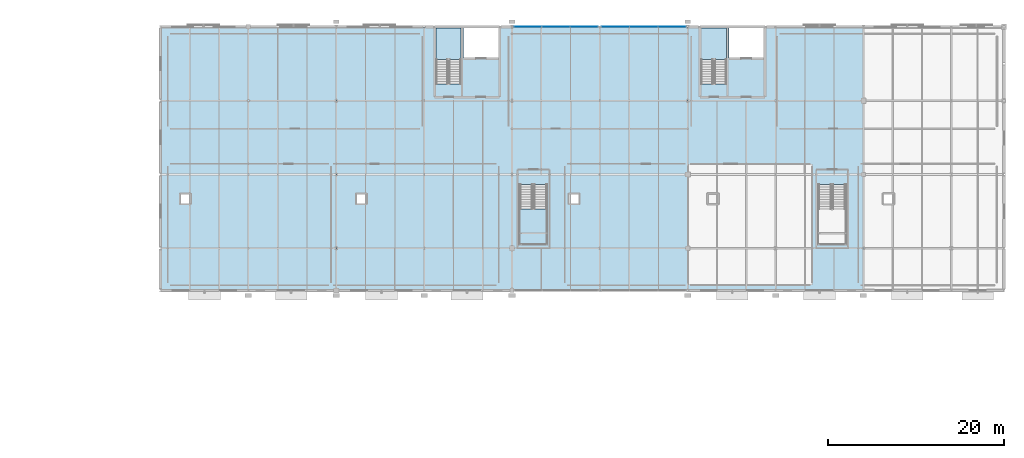
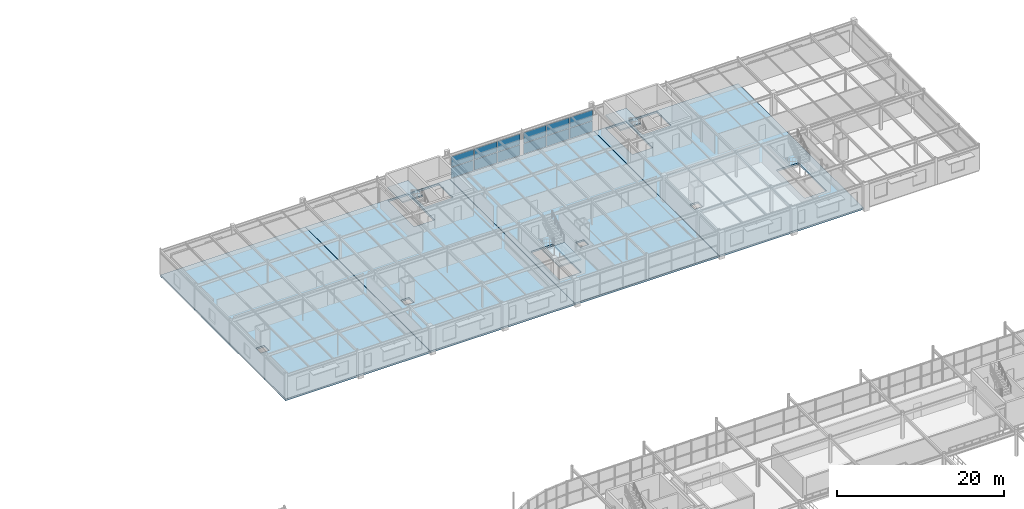
# One storey, part 70 of 98: 12 plates, 7 slabs, 5 elements without a shape of their own.
"""IFC4 building model written with IfcOpenShell, lengths in metres."""

from ifc_helpers import new_model, si_unit, derived_unit, direction, frame, origin, origin_2d_with_axis, place, context, subcontext, project, spatial, polyline, rectangle, outline, extrude, material, layer, layer_set, type_object, element, aggregate, save


model = new_model("IFC4")

# Units and contexts
model_context = context("Model", 3, precision=1e-05, world=origin(), true_north=direction((0.0, 1.0)))
body_context = subcontext(model_context, "Body", "Model", "MODEL_VIEW")
ifc_project = project(units=[si_unit("LENGTHUNIT", "METRE"), si_unit("AREAUNIT", "SQUARE_METRE"), si_unit("VOLUMEUNIT", "CUBIC_METRE"), si_unit("PLANEANGLEUNIT", "RADIAN"), si_unit("MASSUNIT", "GRAM", prefix="KILO"), derived_unit("THERMALTRANSMITTANCEUNIT", [(si_unit("POWERUNIT", "WATT"), 1), (si_unit("LENGTHUNIT", "METRE"), -2), (si_unit("THERMODYNAMICTEMPERATUREUNIT", "KELVIN"), -1)])], contexts=[model_context])

# Site, building, storey
site_placement = place(None, origin())
site = spatial("IfcSite", under=ifc_project, at=site_placement, CompositionType="ELEMENT")
building_placement = place(site_placement, origin())
building = spatial("IfcBuilding", under=site, at=building_placement, Name="Cinnabar Yard Market Hall", CompositionType="ELEMENT")
storey_placement = place(building_placement, frame((0.0, 0.0, 4.5)))
storey = spatial("IfcBuildingStorey", under=building, at=storey_placement, Name="L01", CompositionType="ELEMENT", Elevation=4.5)

# Curtain wall, plates
ifc_material_1 = material(Name="Anodised bronze aluminium courtyard facade", Category="aluminium")
curtain_wall_type = type_object("IfcCurtainWallType", Name="CW-CWF097x33", PredefinedType="NOTDEFINED", material=ifc_material_1)
curtain_wall_1_placement = place(storey_placement, origin())
curtain_wall_1 = element("IfcCurtainWall", 1, at=curtain_wall_1_placement, inside=storey, type_object=curtain_wall_type, Name="Wing North Pishtaq Glazing L01 Bay 5", PredefinedType="NOTDEFINED")
ifc_material_2 = material(Name="Low-E laminated glass", Category="glass")
ifc_layer_1 = layer(ifc_material_2, 0.031982421875)
ifc_layer_set_1 = layer_set([ifc_layer_1], Name="Low-E laminated glass")
plate_type_1 = type_object("IfcPlateType", Name="CWP-GP311x153", PredefinedType="CURTAIN_PANEL", material=ifc_layer_set_1)
plate_1_placement = place(storey_placement, frame((114.2080078125, 138.0, 0.0751953125), z_axis=(0.0, 0.0, 1.0), x_axis=(-1.0, 0.0, 0.0)))
plate_1 = element("IfcPlate", 2, at=plate_1_placement, type_object=plate_type_1, Name="CWF097x33 panel 1.1", PredefinedType="CURTAIN_PANEL", context=body_context, shape_type="SweptSolid", body=[
    extrude(rectangle(XDim=3.1142578125, YDim=0.031982421875, at=origin_2d_with_axis()), origin(), (0.0, 0.0, 1.0), 1.532470703125),
])
plate_2_placement = place(storey_placement, frame((114.2080078125, 138.0, 1.6826171875), z_axis=(0.0, 0.0, 1.0), x_axis=(-1.0, 0.0, 0.0)))
plate_2 = element("IfcPlate", 3, at=plate_2_placement, type_object=plate_type_1, Name="CWF097x33 panel 1.2", PredefinedType="CURTAIN_PANEL", context=body_context, shape_type="SweptSolid", body=[
    extrude(rectangle(XDim=3.1142578125, YDim=0.031982421875, at=origin_2d_with_axis()), origin(), (0.0, 0.0, 1.0), 1.532470703125),
])
plate_3_placement = place(storey_placement, frame((107.7919921875, 138.0, 0.0751953125), z_axis=(0.0, 0.0, 1.0), x_axis=(-1.0, 0.0, 0.0)))
plate_3 = element("IfcPlate", 4, at=plate_3_placement, type_object=plate_type_1, Name="CWF097x33 panel 3.1", PredefinedType="CURTAIN_PANEL", context=body_context, shape_type="SweptSolid", body=[
    extrude(rectangle(XDim=3.1142578125, YDim=0.031982421875, at=origin_2d_with_axis()), origin(), (0.0, 0.0, 1.0), 1.532470703125),
])
plate_4_placement = place(storey_placement, frame((107.7919921875, 138.0, 1.6826171875), z_axis=(0.0, 0.0, 1.0), x_axis=(-1.0, 0.0, 0.0)))
plate_4 = element("IfcPlate", 5, at=plate_4_placement, type_object=plate_type_1, Name="CWF097x33 panel 3.2", PredefinedType="CURTAIN_PANEL", context=body_context, shape_type="SweptSolid", body=[
    extrude(rectangle(XDim=3.1142578125, YDim=0.031982421875, at=origin_2d_with_axis()), origin(), (0.0, 0.0, 1.0), 1.532470703125),
])

curtain_wall_2_placement = place(storey_placement, origin())
curtain_wall_2 = element("IfcCurtainWall", 6, at=curtain_wall_2_placement, inside=storey, type_object=curtain_wall_type, Name="Wing North Pishtaq Glazing L01 Bay 6", PredefinedType="NOTDEFINED")
plate_5_placement = place(storey_placement, frame((124.2080078125, 138.0, 0.0751953125), z_axis=(0.0, 0.0, 1.0), x_axis=(-1.0, 0.0, 0.0)))
plate_5 = element("IfcPlate", 7, at=plate_5_placement, type_object=plate_type_1, Name="CWF097x33 panel 1.1", PredefinedType="CURTAIN_PANEL", context=body_context, shape_type="SweptSolid", body=[
    extrude(rectangle(XDim=3.1142578125, YDim=0.031982421875, at=origin_2d_with_axis()), origin(), (0.0, 0.0, 1.0), 1.532470703125),
])
plate_6_placement = place(storey_placement, frame((124.2080078125, 138.0, 1.6826171875), z_axis=(0.0, 0.0, 1.0), x_axis=(-1.0, 0.0, 0.0)))
plate_6 = element("IfcPlate", 8, at=plate_6_placement, type_object=plate_type_1, Name="CWF097x33 panel 1.2", PredefinedType="CURTAIN_PANEL", context=body_context, shape_type="SweptSolid", body=[
    extrude(rectangle(XDim=3.1142578125, YDim=0.031982421875, at=origin_2d_with_axis()), origin(), (0.0, 0.0, 1.0), 1.532470703125),
])
plate_7_placement = place(storey_placement, frame((117.7919921875, 138.0, 0.0751953125), z_axis=(0.0, 0.0, 1.0), x_axis=(-1.0, 0.0, 0.0)))
plate_7 = element("IfcPlate", 9, at=plate_7_placement, type_object=plate_type_1, Name="CWF097x33 panel 3.1", PredefinedType="CURTAIN_PANEL", context=body_context, shape_type="SweptSolid", body=[
    extrude(rectangle(XDim=3.1142578125, YDim=0.031982421875, at=origin_2d_with_axis()), origin(), (0.0, 0.0, 1.0), 1.532470703125),
])
plate_8_placement = place(storey_placement, frame((117.7919921875, 138.0, 1.6826171875), z_axis=(0.0, 0.0, 1.0), x_axis=(-1.0, 0.0, 0.0)))
plate_8 = element("IfcPlate", 10, at=plate_8_placement, type_object=plate_type_1, Name="CWF097x33 panel 3.2", PredefinedType="CURTAIN_PANEL", context=body_context, shape_type="SweptSolid", body=[
    extrude(rectangle(XDim=3.1142578125, YDim=0.031982421875, at=origin_2d_with_axis()), origin(), (0.0, 0.0, 1.0), 1.532470703125),
])

# Plate
ifc_layer_2 = layer(ifc_material_2, 0.031982421875)
ifc_layer_set_2 = layer_set([ifc_layer_2], Name="Low-E laminated glass")
plate_type_2 = type_object("IfcPlateType", Name="CWP-GP315x153", PredefinedType="CURTAIN_PANEL", material=ifc_layer_set_2)
plate_9_placement = place(storey_placement, frame((111.0, 138.0, 0.0751953125), z_axis=(0.0, 0.0, 1.0), x_axis=(-1.0, 0.0, 0.0)))
plate_9 = element("IfcPlate", 11, at=plate_9_placement, type_object=plate_type_2, Name="CWF097x33 panel 2.1", PredefinedType="CURTAIN_PANEL", context=body_context, shape_type="SweptSolid", body=[
    extrude(rectangle(XDim=3.151611328125, YDim=0.031982421875, at=origin_2d_with_axis()), origin(), (0.0, 0.0, 1.0), 1.532470703125),
])

plate_10_placement = place(storey_placement, frame((111.0, 138.0, 1.6826171875), z_axis=(0.0, 0.0, 1.0), x_axis=(-1.0, 0.0, 0.0)))
plate_10 = element("IfcPlate", 12, at=plate_10_placement, type_object=plate_type_2, Name="CWF097x33 panel 2.2", PredefinedType="CURTAIN_PANEL", context=body_context, shape_type="SweptSolid", body=[
    extrude(rectangle(XDim=3.151611328125, YDim=0.031982421875, at=origin_2d_with_axis()), origin(), (0.0, 0.0, 1.0), 1.532470703125),
])

aggregate(curtain_wall_1, [plate_1, plate_2, plate_9, plate_10, plate_3, plate_4])

plate_11_placement = place(storey_placement, frame((121.0, 138.0, 0.0751953125), z_axis=(0.0, 0.0, 1.0), x_axis=(-1.0, 0.0, 0.0)))
plate_11 = element("IfcPlate", 13, at=plate_11_placement, type_object=plate_type_2, Name="CWF097x33 panel 2.1", PredefinedType="CURTAIN_PANEL", context=body_context, shape_type="SweptSolid", body=[
    extrude(rectangle(XDim=3.151611328125, YDim=0.031982421875, at=origin_2d_with_axis()), origin(), (0.0, 0.0, 1.0), 1.532470703125),
])

plate_12_placement = place(storey_placement, frame((121.0, 138.0, 1.6826171875), z_axis=(0.0, 0.0, 1.0), x_axis=(-1.0, 0.0, 0.0)))
plate_12 = element("IfcPlate", 14, at=plate_12_placement, type_object=plate_type_2, Name="CWF097x33 panel 2.2", PredefinedType="CURTAIN_PANEL", context=body_context, shape_type="SweptSolid", body=[
    extrude(rectangle(XDim=3.151611328125, YDim=0.031982421875, at=origin_2d_with_axis()), origin(), (0.0, 0.0, 1.0), 1.532470703125),
])

aggregate(curtain_wall_2, [plate_5, plate_6, plate_11, plate_12, plate_7, plate_8])

# Slabs
ifc_material_3 = material(Name="Concrete 40 MPa", Category="concrete")
ifc_layer_3 = layer(ifc_material_3, 0.260009765625)
ifc_layer_set_3 = layer_set([ifc_layer_3], Name="Concrete 40 MPa")
slab_type_1 = type_object("IfcSlabType", Name="SL-L01", PredefinedType="FLOOR", material=ifc_layer_set_3)
slab_1_placement = place(storey_placement, frame((0.0, 0.0, -0.260009765625)))
element("IfcSlab", 15, at=slab_1_placement, inside=storey, type_object=slab_type_1, Name="L01 Wing Floor Slab Bay 1", PredefinedType="FLOOR", context=body_context, shape_type="SweptSolid", body=[
    extrude(outline(polyline([(66.0, 108.0), (86.0, 108.0), (86.0, 138.0), (66.0, 138.0), (66.0, 108.0)]), holes=[polyline([(68.25, 117.85009765625), (69.39990234375, 117.85009765625), (69.39990234375, 119.0), (68.25, 119.0), (68.25, 117.85009765625)])]), origin(), (0.0, 0.0, 1.0), 0.260009765625),
])
slab_2_placement = place(storey_placement, frame((0.0, 0.0, -0.260009765625)))
element("IfcSlab", 16, at=slab_2_placement, inside=storey, type_object=slab_type_1, Name="L01 Wing Floor Slab Bay 2", PredefinedType="FLOOR", context=body_context, shape_type="SweptSolid", body=[
    extrude(outline(polyline([(86.0400390625, 108.0), (106.0, 108.0), (106.0, 138.0), (86.0400390625, 138.0), (86.0400390625, 108.0)]), holes=[polyline([(88.2900390625, 117.85009765625), (89.43994140625, 117.85009765625), (89.43994140625, 119.0), (88.2900390625, 119.0), (88.2900390625, 117.85009765625)]), polyline([(100.199951171875, 131.5048828125), (100.199951171875, 137.860107421875), (97.340087890625, 137.860107421875), (97.340087890625, 131.5048828125), (100.199951171875, 131.5048828125)]), polyline([(100.5, 134.449951171875), (104.449951171875, 134.449951171875), (104.449951171875, 137.85009765625), (100.5, 137.85009765625), (100.5, 134.449951171875)])]), origin(), (0.0, 0.0, 1.0), 0.260009765625),
])
slab_3_placement = place(storey_placement, frame((0.0, 0.0, -0.260009765625)))
element("IfcSlab", 17, at=slab_3_placement, inside=storey, type_object=slab_type_1, Name="L01 Wing Floor Slab Bay 3", PredefinedType="FLOOR", context=body_context, shape_type="SweptSolid", body=[
    extrude(outline(polyline([(106.0400390625, 108.0), (126.0, 108.0), (126.0, 138.0), (106.0400390625, 138.0), (106.0400390625, 108.0)]), holes=[polyline([(112.489990234375, 117.85009765625), (113.639892578125, 117.85009765625), (113.639892578125, 119.0), (112.489990234375, 119.0), (112.489990234375, 117.85009765625)]), polyline([(106.89990234375, 120.034912109375), (106.89990234375, 113.25), (109.9599609375, 113.25), (109.9599609375, 120.034912109375), (106.89990234375, 120.034912109375)])]), origin(), (0.0, 0.0, 1.0), 0.260009765625),
])
slab_4_placement = place(storey_placement, frame((0.0, 0.0, -0.260009765625)))
element("IfcSlab", 18, at=slab_4_placement, inside=storey, type_object=slab_type_1, Name="L01 Wing Floor Slab Bay 4", PredefinedType="FLOOR", context=body_context, shape_type="SweptSolid", body=[
    extrude(outline(polyline([(126.0400390625, 108.0), (146.0, 108.0), (146.0, 138.0), (126.0400390625, 138.0), (126.0400390625, 108.0)]), holes=[polyline([(128.2900390625, 117.85009765625), (129.43994140625, 117.85009765625), (129.43994140625, 119.0), (128.2900390625, 119.0), (128.2900390625, 117.85009765625)]), polyline([(130.39990234375, 131.5048828125), (130.39990234375, 137.860107421875), (127.5400390625, 137.860107421875), (127.5400390625, 131.5048828125), (130.39990234375, 131.5048828125)]), polyline([(130.699951171875, 134.449951171875), (134.64990234375, 134.449951171875), (134.64990234375, 137.85009765625), (130.699951171875, 137.85009765625), (130.699951171875, 134.449951171875)]), polyline([(140.89990234375, 120.034912109375), (140.89990234375, 113.25), (143.9599609375, 113.25), (143.9599609375, 120.034912109375), (140.89990234375, 120.034912109375)])]), origin(), (0.0, 0.0, 1.0), 0.260009765625),
])

# Stair, slab
stair_type_1 = type_object("IfcStairType", Name="ST-CORE", PredefinedType="HALF_TURN_STAIR", material=ifc_material_3)
stair_1_placement = place(storey_placement, origin())
stair_1 = element("IfcStair", 19, at=stair_1_placement, inside=storey, type_object=stair_type_1, Name="L01 Cooking School West Core Stair", PredefinedType="HALF_TURN_STAIR")
ifc_layer_4 = layer(ifc_material_3, 0.199951171875)
ifc_layer_set_4 = layer_set([ifc_layer_4], Name="Concrete 40 MPa")
slab_type_2 = type_object("IfcSlabType", Name="SL-LAND", PredefinedType="LANDING", material=ifc_layer_set_4)
slab_5_placement = place(storey_placement, frame((0.0, 0.0, 1.75)))
slab_5 = element("IfcSlab", 20, at=slab_5_placement, type_object=slab_type_2, Name="ST-C5 landing 1", PredefinedType="LANDING", context=body_context, shape_type="SweptSolid", body=[
    extrude(outline(polyline([(100.199951171875, 134.2900390625), (100.199951171875, 137.860107421875), (97.340087890625, 137.860107421875), (97.340087890625, 134.2900390625), (100.199951171875, 134.2900390625)])), origin(), (0.0, 0.0, 1.0), 0.199951171875),
])
aggregate(stair_1, [slab_5])

stair_2_placement = place(storey_placement, origin())
stair_2 = element("IfcStair", 21, at=stair_2_placement, inside=storey, type_object=stair_type_1, Name="L01 Cooking School East Core Stair", PredefinedType="HALF_TURN_STAIR")
slab_6_placement = place(storey_placement, frame((0.0, 0.0, 1.75)))
slab_6 = element("IfcSlab", 22, at=slab_6_placement, type_object=slab_type_2, Name="ST-C6 landing 1", PredefinedType="LANDING", context=body_context, shape_type="SweptSolid", body=[
    extrude(outline(polyline([(130.39990234375, 134.2900390625), (130.39990234375, 137.860107421875), (127.5400390625, 137.860107421875), (127.5400390625, 134.2900390625), (130.39990234375, 134.2900390625)])), origin(), (0.0, 0.0, 1.0), 0.199951171875),
])
aggregate(stair_2, [slab_6])

ifc_material_4 = material(Name="Spotted gum timber treads on steel Grade 350 (350 MPa)", Category="steel")
stair_type_2 = type_object("IfcStairType", Name="ST-FEAT", PredefinedType="HALF_TURN_STAIR", material=ifc_material_4)
stair_3_placement = place(storey_placement, origin())
stair_3 = element("IfcStair", 23, at=stair_3_placement, inside=storey, type_object=stair_type_2, Name="L01 Feature Stair ST-F4", PredefinedType="HALF_TURN_STAIR")
slab_7_placement = place(storey_placement, frame((0.0, 0.0, 1.75)))
slab_7 = element("IfcSlab", 24, at=slab_7_placement, type_object=slab_type_2, Name="ST-F4 landing 1", PredefinedType="LANDING", context=body_context, shape_type="SweptSolid", body=[
    extrude(outline(polyline([(106.89990234375, 117.25), (106.89990234375, 113.25), (109.9599609375, 113.25), (109.9599609375, 117.25), (106.89990234375, 117.25)])), origin(), (0.0, 0.0, 1.0), 0.199951171875),
])
aggregate(stair_3, [slab_7])

save(model, "model.ifc")
